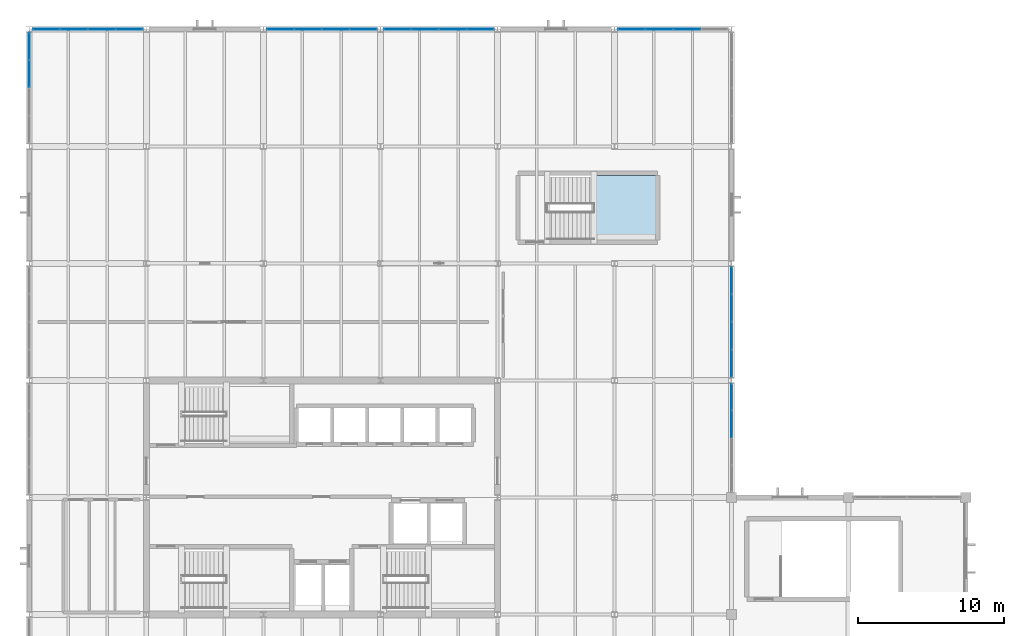
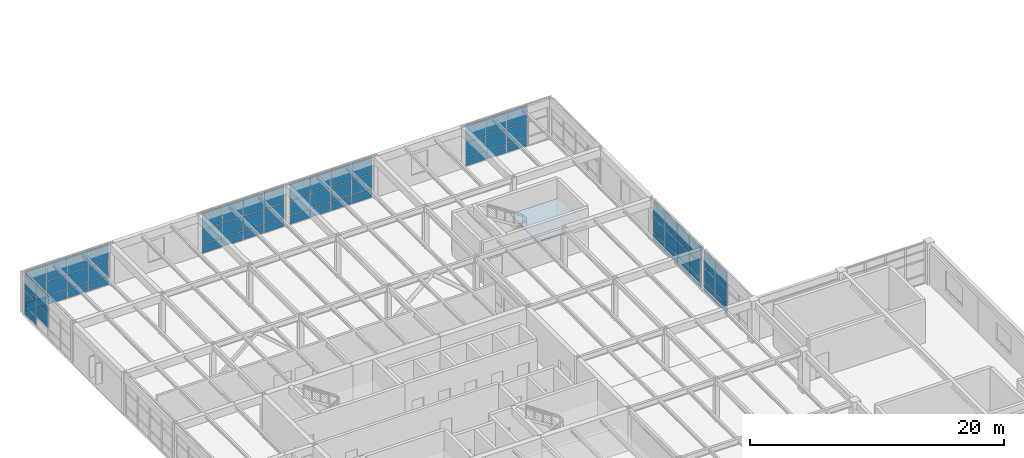
# One storey, part 31 of 48: 68 plates, 1 slab, 8 elements without a shape of their own.
"""IFC4 building model written with IfcOpenShell, lengths in metres."""

from ifc_helpers import new_model, si_unit, direction, frame, origin, origin_2d, place, context, subcontext, project, spatial, polyline, rectangle, outline, extrude, material, layer, layer_set, type_object, element, aggregate, save


model = new_model("IFC4")

# Units and contexts
model_context = context("Model", 3, precision=1e-05, world=origin(), true_north=direction((0.0, 1.0)))
body_context = subcontext(model_context, "Body", "Model", "MODEL_VIEW")
ifc_project = project(units=[si_unit("LENGTHUNIT", "METRE"), si_unit("AREAUNIT", "SQUARE_METRE"), si_unit("VOLUMEUNIT", "CUBIC_METRE"), si_unit("PLANEANGLEUNIT", "RADIAN"), si_unit("MASSUNIT", "GRAM", prefix="KILO")], contexts=[model_context])

# Site, building, storey
site_placement = place(None, origin())
site = spatial("IfcSite", under=ifc_project, at=site_placement, CompositionType="ELEMENT")
building_placement = place(site_placement, origin())
building = spatial("IfcBuilding", under=site, at=building_placement, Name="Varnela Railside Interchange", CompositionType="ELEMENT")
storey_placement = place(building_placement, frame((0.0, 0.0, 11.199951171875)))
storey = spatial("IfcBuildingStorey", under=building, at=storey_placement, Name="L02", CompositionType="ELEMENT", Elevation=11.199951171875)

# Curtain wall, plates
ifc_material_1 = material(Name="Aluminium 6063-T6", Category="aluminium")
ifc_layer_1 = layer(ifc_material_1, 0.035888671875)
ifc_layer_set_1 = layer_set([ifc_layer_1], Name="Aluminium 6063-T6")
curtain_wall_type = type_object("IfcCurtainWallType", Name="Operations Wing Facade Curtain Wall CW-03", PredefinedType="USERDEFINED", material=ifc_layer_set_1)
curtain_wall_1_placement = place(storey_placement, origin())
curtain_wall_1 = element("IfcCurtainWall", 1, at=curtain_wall_1_placement, inside=storey, type_object=curtain_wall_type, Name="Curtain Wall CW-03 (L02) (CW-061)", ObjectType="CURTAIN WALL", PredefinedType="USERDEFINED")
ifc_material_2 = material(Name="Glass laminated double", Category="glass")
ifc_layer_2 = layer(ifc_material_2, 0.0400390625)
ifc_layer_set_2 = layer_set([ifc_layer_2], Name="Glass laminated double")
plate_type = type_object("IfcPlateType", Name="Acoustic Laminated Vision GL-03", PredefinedType="CURTAIN_PANEL", material=ifc_layer_set_2)
plate_1_placement = place(storey_placement, frame((4.0, 90.953125, 0.93017578125), z_axis=(0.0, 0.0, 1.0), x_axis=(0.0, 1.0, 0.0)))
plate_1 = element("IfcPlate", 2, at=plate_1_placement, type_object=plate_type, Name="CW-03 panel 3.2", PredefinedType="CURTAIN_PANEL", context=body_context, shape_type="SweptSolid", body=[
    extrude(rectangle(XDim=1.84619140625, YDim=0.0400390625, at=origin_2d()), origin(), (0.0, 0.0, 1.0), 1.360107421875),
])
plate_2_placement = place(storey_placement, frame((4.0, 90.953125, 2.35009765625), z_axis=(0.0, 0.0, 1.0), x_axis=(0.0, 1.0, 0.0)))
plate_2 = element("IfcPlate", 3, at=plate_2_placement, type_object=plate_type, Name="CW-03 panel 3.3", PredefinedType="CURTAIN_PANEL", context=body_context, shape_type="SweptSolid", body=[
    extrude(rectangle(XDim=1.84619140625, YDim=0.0400390625, at=origin_2d()), origin(), (0.0, 0.0, 1.0), 1.590087890625),
])
plate_3_placement = place(storey_placement, frame((4.0, 92.844482421875, 0.06005859375), z_axis=(0.0, 0.0, 1.0), x_axis=(0.0, 1.0, 0.0)))
plate_3 = element("IfcPlate", 4, at=plate_3_placement, type_object=plate_type, Name="CW-03 panel 4.1", PredefinedType="CURTAIN_PANEL", context=body_context, shape_type="SweptSolid", body=[
    extrude(rectangle(XDim=1.816162109375, YDim=0.0400390625, at=origin_2d()), origin(), (0.0, 0.0, 1.0), 0.81005859375),
])
plate_4_placement = place(storey_placement, frame((4.0, 92.844482421875, 0.93017578125), z_axis=(0.0, 0.0, 1.0), x_axis=(0.0, 1.0, 0.0)))
plate_4 = element("IfcPlate", 5, at=plate_4_placement, type_object=plate_type, Name="CW-03 panel 4.2", PredefinedType="CURTAIN_PANEL", context=body_context, shape_type="SweptSolid", body=[
    extrude(rectangle(XDim=1.816162109375, YDim=0.0400390625, at=origin_2d()), origin(), (0.0, 0.0, 1.0), 1.360107421875),
])
plate_5_placement = place(storey_placement, frame((4.0, 92.844482421875, 2.35009765625), z_axis=(0.0, 0.0, 1.0), x_axis=(0.0, 1.0, 0.0)))
plate_5 = element("IfcPlate", 6, at=plate_5_placement, type_object=plate_type, Name="CW-03 panel 4.3", PredefinedType="CURTAIN_PANEL", context=body_context, shape_type="SweptSolid", body=[
    extrude(rectangle(XDim=1.816162109375, YDim=0.0400390625, at=origin_2d()), origin(), (0.0, 0.0, 1.0), 1.590087890625),
])
aggregate(curtain_wall_1, [plate_1, plate_2, plate_3, plate_4, plate_5])

curtain_wall_2_placement = place(storey_placement, origin())
curtain_wall_2 = element("IfcCurtainWall", 7, at=curtain_wall_2_placement, inside=storey, type_object=curtain_wall_type, Name="Curtain Wall CW-03 (L02) (CW-067)", ObjectType="CURTAIN WALL", PredefinedType="USERDEFINED")
plate_6_placement = place(storey_placement, frame((5.162841796875, 94.0, 0.06005859375), z_axis=(0.0, 0.0, 1.0), x_axis=(1.0, 0.0, 0.0)))
plate_6 = element("IfcPlate", 8, at=plate_6_placement, type_object=plate_type, Name="CW-03 panel 1.1", PredefinedType="CURTAIN_PANEL", context=body_context, shape_type="SweptSolid", body=[
    extrude(rectangle(XDim=1.8115234375, YDim=0.0400390625, at=origin_2d()), origin(), (0.0, 0.0, 1.0), 0.81005859375),
])
plate_7_placement = place(storey_placement, frame((5.162841796875, 94.0, 0.93017578125), z_axis=(0.0, 0.0, 1.0), x_axis=(1.0, 0.0, 0.0)))
plate_7 = element("IfcPlate", 9, at=plate_7_placement, type_object=plate_type, Name="CW-03 panel 1.2", PredefinedType="CURTAIN_PANEL", context=body_context, shape_type="SweptSolid", body=[
    extrude(rectangle(XDim=1.8115234375, YDim=0.0400390625, at=origin_2d()), origin(), (0.0, 0.0, 1.0), 1.360107421875),
])
plate_8_placement = place(storey_placement, frame((5.162841796875, 94.0, 2.35009765625), z_axis=(0.0, 0.0, 1.0), x_axis=(1.0, 0.0, 0.0)))
plate_8 = element("IfcPlate", 10, at=plate_8_placement, type_object=plate_type, Name="CW-03 panel 1.3", PredefinedType="CURTAIN_PANEL", context=body_context, shape_type="SweptSolid", body=[
    extrude(rectangle(XDim=1.8115234375, YDim=0.0400390625, at=origin_2d()), origin(), (0.0, 0.0, 1.0), 1.590087890625),
])
plate_9_placement = place(storey_placement, frame((7.04931640625, 94.0, 0.06005859375), z_axis=(0.0, 0.0, 1.0), x_axis=(1.0, 0.0, 0.0)))
plate_9 = element("IfcPlate", 11, at=plate_9_placement, type_object=plate_type, Name="CW-03 panel 2.1", PredefinedType="CURTAIN_PANEL", context=body_context, shape_type="SweptSolid", body=[
    extrude(rectangle(XDim=1.841552734375, YDim=0.0400390625, at=origin_2d()), origin(), (0.0, 0.0, 1.0), 0.81005859375),
])
plate_10_placement = place(storey_placement, frame((7.04931640625, 94.0, 0.93017578125), z_axis=(0.0, 0.0, 1.0), x_axis=(1.0, 0.0, 0.0)))
plate_10 = element("IfcPlate", 12, at=plate_10_placement, type_object=plate_type, Name="CW-03 panel 2.2", PredefinedType="CURTAIN_PANEL", context=body_context, shape_type="SweptSolid", body=[
    extrude(rectangle(XDim=1.841552734375, YDim=0.0400390625, at=origin_2d()), origin(), (0.0, 0.0, 1.0), 1.360107421875),
])
plate_11_placement = place(storey_placement, frame((7.04931640625, 94.0, 2.35009765625), z_axis=(0.0, 0.0, 1.0), x_axis=(1.0, 0.0, 0.0)))
plate_11 = element("IfcPlate", 13, at=plate_11_placement, type_object=plate_type, Name="CW-03 panel 2.3", PredefinedType="CURTAIN_PANEL", context=body_context, shape_type="SweptSolid", body=[
    extrude(rectangle(XDim=1.841552734375, YDim=0.0400390625, at=origin_2d()), origin(), (0.0, 0.0, 1.0), 1.590087890625),
])
plate_12_placement = place(storey_placement, frame((8.95068359375, 94.0, 0.06005859375), z_axis=(0.0, 0.0, 1.0), x_axis=(1.0, 0.0, 0.0)))
plate_12 = element("IfcPlate", 14, at=plate_12_placement, type_object=plate_type, Name="CW-03 panel 3.1", PredefinedType="CURTAIN_PANEL", context=body_context, shape_type="SweptSolid", body=[
    extrude(rectangle(XDim=1.841552734375, YDim=0.0400390625, at=origin_2d()), origin(), (0.0, 0.0, 1.0), 0.81005859375),
])
plate_13_placement = place(storey_placement, frame((8.95068359375, 94.0, 0.93017578125), z_axis=(0.0, 0.0, 1.0), x_axis=(1.0, 0.0, 0.0)))
plate_13 = element("IfcPlate", 15, at=plate_13_placement, type_object=plate_type, Name="CW-03 panel 3.2", PredefinedType="CURTAIN_PANEL", context=body_context, shape_type="SweptSolid", body=[
    extrude(rectangle(XDim=1.841552734375, YDim=0.0400390625, at=origin_2d()), origin(), (0.0, 0.0, 1.0), 1.360107421875),
])
plate_14_placement = place(storey_placement, frame((8.95068359375, 94.0, 2.35009765625), z_axis=(0.0, 0.0, 1.0), x_axis=(1.0, 0.0, 0.0)))
plate_14 = element("IfcPlate", 16, at=plate_14_placement, type_object=plate_type, Name="CW-03 panel 3.3", PredefinedType="CURTAIN_PANEL", context=body_context, shape_type="SweptSolid", body=[
    extrude(rectangle(XDim=1.841552734375, YDim=0.0400390625, at=origin_2d()), origin(), (0.0, 0.0, 1.0), 1.590087890625),
])
plate_15_placement = place(storey_placement, frame((10.837158203125, 94.0, 0.06005859375), z_axis=(0.0, 0.0, 1.0), x_axis=(1.0, 0.0, 0.0)))
plate_15 = element("IfcPlate", 17, at=plate_15_placement, type_object=plate_type, Name="CW-03 panel 4.1", PredefinedType="CURTAIN_PANEL", context=body_context, shape_type="SweptSolid", body=[
    extrude(rectangle(XDim=1.8115234375, YDim=0.0400390625, at=origin_2d()), origin(), (0.0, 0.0, 1.0), 0.81005859375),
])
plate_16_placement = place(storey_placement, frame((10.837158203125, 94.0, 0.93017578125), z_axis=(0.0, 0.0, 1.0), x_axis=(1.0, 0.0, 0.0)))
plate_16 = element("IfcPlate", 18, at=plate_16_placement, type_object=plate_type, Name="CW-03 panel 4.2", PredefinedType="CURTAIN_PANEL", context=body_context, shape_type="SweptSolid", body=[
    extrude(rectangle(XDim=1.8115234375, YDim=0.0400390625, at=origin_2d()), origin(), (0.0, 0.0, 1.0), 1.360107421875),
])
plate_17_placement = place(storey_placement, frame((10.837158203125, 94.0, 2.35009765625), z_axis=(0.0, 0.0, 1.0), x_axis=(1.0, 0.0, 0.0)))
plate_17 = element("IfcPlate", 19, at=plate_17_placement, type_object=plate_type, Name="CW-03 panel 4.3", PredefinedType="CURTAIN_PANEL", context=body_context, shape_type="SweptSolid", body=[
    extrude(rectangle(XDim=1.8115234375, YDim=0.0400390625, at=origin_2d()), origin(), (0.0, 0.0, 1.0), 1.590087890625),
])
aggregate(curtain_wall_2, [plate_6, plate_7, plate_8, plate_9, plate_10, plate_11, plate_12, plate_13, plate_14, plate_15, plate_16, plate_17])

curtain_wall_3_placement = place(storey_placement, origin())
curtain_wall_3 = element("IfcCurtainWall", 20, at=curtain_wall_3_placement, inside=storey, type_object=curtain_wall_type, Name="Curtain Wall CW-03 (L02) (CW-074)", ObjectType="CURTAIN WALL", PredefinedType="USERDEFINED")
plate_18_placement = place(storey_placement, frame((21.162841796875, 94.0, 0.06005859375), z_axis=(0.0, 0.0, 1.0), x_axis=(1.0, 0.0, 0.0)))
plate_18 = element("IfcPlate", 21, at=plate_18_placement, type_object=plate_type, Name="CW-03 panel 1.1", PredefinedType="CURTAIN_PANEL", context=body_context, shape_type="SweptSolid", body=[
    extrude(rectangle(XDim=1.8115234375, YDim=0.0400390625, at=origin_2d()), origin(), (0.0, 0.0, 1.0), 0.81005859375),
])
plate_19_placement = place(storey_placement, frame((21.162841796875, 94.0, 0.93017578125), z_axis=(0.0, 0.0, 1.0), x_axis=(1.0, 0.0, 0.0)))
plate_19 = element("IfcPlate", 22, at=plate_19_placement, type_object=plate_type, Name="CW-03 panel 1.2", PredefinedType="CURTAIN_PANEL", context=body_context, shape_type="SweptSolid", body=[
    extrude(rectangle(XDim=1.8115234375, YDim=0.0400390625, at=origin_2d()), origin(), (0.0, 0.0, 1.0), 1.360107421875),
])
plate_20_placement = place(storey_placement, frame((21.162841796875, 94.0, 2.35009765625), z_axis=(0.0, 0.0, 1.0), x_axis=(1.0, 0.0, 0.0)))
plate_20 = element("IfcPlate", 23, at=plate_20_placement, type_object=plate_type, Name="CW-03 panel 1.3", PredefinedType="CURTAIN_PANEL", context=body_context, shape_type="SweptSolid", body=[
    extrude(rectangle(XDim=1.8115234375, YDim=0.0400390625, at=origin_2d()), origin(), (0.0, 0.0, 1.0), 1.590087890625),
])
plate_21_placement = place(storey_placement, frame((23.04931640625, 94.0, 0.06005859375), z_axis=(0.0, 0.0, 1.0), x_axis=(1.0, 0.0, 0.0)))
plate_21 = element("IfcPlate", 24, at=plate_21_placement, type_object=plate_type, Name="CW-03 panel 2.1", PredefinedType="CURTAIN_PANEL", context=body_context, shape_type="SweptSolid", body=[
    extrude(rectangle(XDim=1.841552734375, YDim=0.0400390625, at=origin_2d()), origin(), (0.0, 0.0, 1.0), 0.81005859375),
])
plate_22_placement = place(storey_placement, frame((23.04931640625, 94.0, 0.93017578125), z_axis=(0.0, 0.0, 1.0), x_axis=(1.0, 0.0, 0.0)))
plate_22 = element("IfcPlate", 25, at=plate_22_placement, type_object=plate_type, Name="CW-03 panel 2.2", PredefinedType="CURTAIN_PANEL", context=body_context, shape_type="SweptSolid", body=[
    extrude(rectangle(XDim=1.841552734375, YDim=0.0400390625, at=origin_2d()), origin(), (0.0, 0.0, 1.0), 1.360107421875),
])
plate_23_placement = place(storey_placement, frame((23.04931640625, 94.0, 2.35009765625), z_axis=(0.0, 0.0, 1.0), x_axis=(1.0, 0.0, 0.0)))
plate_23 = element("IfcPlate", 26, at=plate_23_placement, type_object=plate_type, Name="CW-03 panel 2.3", PredefinedType="CURTAIN_PANEL", context=body_context, shape_type="SweptSolid", body=[
    extrude(rectangle(XDim=1.841552734375, YDim=0.0400390625, at=origin_2d()), origin(), (0.0, 0.0, 1.0), 1.590087890625),
])
plate_24_placement = place(storey_placement, frame((24.95068359375, 94.0, 0.06005859375), z_axis=(0.0, 0.0, 1.0), x_axis=(1.0, 0.0, 0.0)))
plate_24 = element("IfcPlate", 27, at=plate_24_placement, type_object=plate_type, Name="CW-03 panel 3.1", PredefinedType="CURTAIN_PANEL", context=body_context, shape_type="SweptSolid", body=[
    extrude(rectangle(XDim=1.841552734375, YDim=0.0400390625, at=origin_2d()), origin(), (0.0, 0.0, 1.0), 0.81005859375),
])
plate_25_placement = place(storey_placement, frame((24.95068359375, 94.0, 0.93017578125), z_axis=(0.0, 0.0, 1.0), x_axis=(1.0, 0.0, 0.0)))
plate_25 = element("IfcPlate", 28, at=plate_25_placement, type_object=plate_type, Name="CW-03 panel 3.2", PredefinedType="CURTAIN_PANEL", context=body_context, shape_type="SweptSolid", body=[
    extrude(rectangle(XDim=1.841552734375, YDim=0.0400390625, at=origin_2d()), origin(), (0.0, 0.0, 1.0), 1.360107421875),
])
plate_26_placement = place(storey_placement, frame((24.95068359375, 94.0, 2.35009765625), z_axis=(0.0, 0.0, 1.0), x_axis=(1.0, 0.0, 0.0)))
plate_26 = element("IfcPlate", 29, at=plate_26_placement, type_object=plate_type, Name="CW-03 panel 3.3", PredefinedType="CURTAIN_PANEL", context=body_context, shape_type="SweptSolid", body=[
    extrude(rectangle(XDim=1.841552734375, YDim=0.0400390625, at=origin_2d()), origin(), (0.0, 0.0, 1.0), 1.590087890625),
])
plate_27_placement = place(storey_placement, frame((26.837158203125, 94.0, 0.06005859375), z_axis=(0.0, 0.0, 1.0), x_axis=(1.0, 0.0, 0.0)))
plate_27 = element("IfcPlate", 30, at=plate_27_placement, type_object=plate_type, Name="CW-03 panel 4.1", PredefinedType="CURTAIN_PANEL", context=body_context, shape_type="SweptSolid", body=[
    extrude(rectangle(XDim=1.8115234375, YDim=0.0400390625, at=origin_2d()), origin(), (0.0, 0.0, 1.0), 0.81005859375),
])
plate_28_placement = place(storey_placement, frame((26.837158203125, 94.0, 0.93017578125), z_axis=(0.0, 0.0, 1.0), x_axis=(1.0, 0.0, 0.0)))
plate_28 = element("IfcPlate", 31, at=plate_28_placement, type_object=plate_type, Name="CW-03 panel 4.2", PredefinedType="CURTAIN_PANEL", context=body_context, shape_type="SweptSolid", body=[
    extrude(rectangle(XDim=1.8115234375, YDim=0.0400390625, at=origin_2d()), origin(), (0.0, 0.0, 1.0), 1.360107421875),
])
plate_29_placement = place(storey_placement, frame((26.837158203125, 94.0, 2.35009765625), z_axis=(0.0, 0.0, 1.0), x_axis=(1.0, 0.0, 0.0)))
plate_29 = element("IfcPlate", 32, at=plate_29_placement, type_object=plate_type, Name="CW-03 panel 4.3", PredefinedType="CURTAIN_PANEL", context=body_context, shape_type="SweptSolid", body=[
    extrude(rectangle(XDim=1.8115234375, YDim=0.0400390625, at=origin_2d()), origin(), (0.0, 0.0, 1.0), 1.590087890625),
])
aggregate(curtain_wall_3, [plate_18, plate_19, plate_20, plate_21, plate_22, plate_23, plate_24, plate_25, plate_26, plate_27, plate_28, plate_29])

curtain_wall_4_placement = place(storey_placement, origin())
curtain_wall_4 = element("IfcCurtainWall", 33, at=curtain_wall_4_placement, inside=storey, type_object=curtain_wall_type, Name="Curtain Wall CW-03 (L02) (CW-075)", ObjectType="CURTAIN WALL", PredefinedType="USERDEFINED")
plate_30_placement = place(storey_placement, frame((29.162841796875, 94.0, 0.06005859375), z_axis=(0.0, 0.0, 1.0), x_axis=(1.0, 0.0, 0.0)))
plate_30 = element("IfcPlate", 34, at=plate_30_placement, type_object=plate_type, Name="CW-03 panel 1.1", PredefinedType="CURTAIN_PANEL", context=body_context, shape_type="SweptSolid", body=[
    extrude(rectangle(XDim=1.8115234375, YDim=0.0400390625, at=origin_2d()), origin(), (0.0, 0.0, 1.0), 0.81005859375),
])
plate_31_placement = place(storey_placement, frame((29.162841796875, 94.0, 0.93017578125), z_axis=(0.0, 0.0, 1.0), x_axis=(1.0, 0.0, 0.0)))
plate_31 = element("IfcPlate", 35, at=plate_31_placement, type_object=plate_type, Name="CW-03 panel 1.2", PredefinedType="CURTAIN_PANEL", context=body_context, shape_type="SweptSolid", body=[
    extrude(rectangle(XDim=1.8115234375, YDim=0.0400390625, at=origin_2d()), origin(), (0.0, 0.0, 1.0), 1.360107421875),
])
plate_32_placement = place(storey_placement, frame((29.162841796875, 94.0, 2.35009765625), z_axis=(0.0, 0.0, 1.0), x_axis=(1.0, 0.0, 0.0)))
plate_32 = element("IfcPlate", 36, at=plate_32_placement, type_object=plate_type, Name="CW-03 panel 1.3", PredefinedType="CURTAIN_PANEL", context=body_context, shape_type="SweptSolid", body=[
    extrude(rectangle(XDim=1.8115234375, YDim=0.0400390625, at=origin_2d()), origin(), (0.0, 0.0, 1.0), 1.590087890625),
])
plate_33_placement = place(storey_placement, frame((31.04931640625, 94.0, 0.06005859375), z_axis=(0.0, 0.0, 1.0), x_axis=(1.0, 0.0, 0.0)))
plate_33 = element("IfcPlate", 37, at=plate_33_placement, type_object=plate_type, Name="CW-03 panel 2.1", PredefinedType="CURTAIN_PANEL", context=body_context, shape_type="SweptSolid", body=[
    extrude(rectangle(XDim=1.841552734375, YDim=0.0400390625, at=origin_2d()), origin(), (0.0, 0.0, 1.0), 0.81005859375),
])
plate_34_placement = place(storey_placement, frame((31.04931640625, 94.0, 0.93017578125), z_axis=(0.0, 0.0, 1.0), x_axis=(1.0, 0.0, 0.0)))
plate_34 = element("IfcPlate", 38, at=plate_34_placement, type_object=plate_type, Name="CW-03 panel 2.2", PredefinedType="CURTAIN_PANEL", context=body_context, shape_type="SweptSolid", body=[
    extrude(rectangle(XDim=1.841552734375, YDim=0.0400390625, at=origin_2d()), origin(), (0.0, 0.0, 1.0), 1.360107421875),
])
plate_35_placement = place(storey_placement, frame((31.04931640625, 94.0, 2.35009765625), z_axis=(0.0, 0.0, 1.0), x_axis=(1.0, 0.0, 0.0)))
plate_35 = element("IfcPlate", 39, at=plate_35_placement, type_object=plate_type, Name="CW-03 panel 2.3", PredefinedType="CURTAIN_PANEL", context=body_context, shape_type="SweptSolid", body=[
    extrude(rectangle(XDim=1.841552734375, YDim=0.0400390625, at=origin_2d()), origin(), (0.0, 0.0, 1.0), 1.590087890625),
])
plate_36_placement = place(storey_placement, frame((32.95068359375, 94.0, 0.06005859375), z_axis=(0.0, 0.0, 1.0), x_axis=(1.0, 0.0, 0.0)))
plate_36 = element("IfcPlate", 40, at=plate_36_placement, type_object=plate_type, Name="CW-03 panel 3.1", PredefinedType="CURTAIN_PANEL", context=body_context, shape_type="SweptSolid", body=[
    extrude(rectangle(XDim=1.841552734375, YDim=0.0400390625, at=origin_2d()), origin(), (0.0, 0.0, 1.0), 0.81005859375),
])
plate_37_placement = place(storey_placement, frame((32.95068359375, 94.0, 0.93017578125), z_axis=(0.0, 0.0, 1.0), x_axis=(1.0, 0.0, 0.0)))
plate_37 = element("IfcPlate", 41, at=plate_37_placement, type_object=plate_type, Name="CW-03 panel 3.2", PredefinedType="CURTAIN_PANEL", context=body_context, shape_type="SweptSolid", body=[
    extrude(rectangle(XDim=1.841552734375, YDim=0.0400390625, at=origin_2d()), origin(), (0.0, 0.0, 1.0), 1.360107421875),
])
plate_38_placement = place(storey_placement, frame((32.95068359375, 94.0, 2.35009765625), z_axis=(0.0, 0.0, 1.0), x_axis=(1.0, 0.0, 0.0)))
plate_38 = element("IfcPlate", 42, at=plate_38_placement, type_object=plate_type, Name="CW-03 panel 3.3", PredefinedType="CURTAIN_PANEL", context=body_context, shape_type="SweptSolid", body=[
    extrude(rectangle(XDim=1.841552734375, YDim=0.0400390625, at=origin_2d()), origin(), (0.0, 0.0, 1.0), 1.590087890625),
])
plate_39_placement = place(storey_placement, frame((34.837158203125, 94.0, 0.06005859375), z_axis=(0.0, 0.0, 1.0), x_axis=(1.0, 0.0, 0.0)))
plate_39 = element("IfcPlate", 43, at=plate_39_placement, type_object=plate_type, Name="CW-03 panel 4.1", PredefinedType="CURTAIN_PANEL", context=body_context, shape_type="SweptSolid", body=[
    extrude(rectangle(XDim=1.8115234375, YDim=0.0400390625, at=origin_2d()), origin(), (0.0, 0.0, 1.0), 0.81005859375),
])
plate_40_placement = place(storey_placement, frame((34.837158203125, 94.0, 0.93017578125), z_axis=(0.0, 0.0, 1.0), x_axis=(1.0, 0.0, 0.0)))
plate_40 = element("IfcPlate", 44, at=plate_40_placement, type_object=plate_type, Name="CW-03 panel 4.2", PredefinedType="CURTAIN_PANEL", context=body_context, shape_type="SweptSolid", body=[
    extrude(rectangle(XDim=1.8115234375, YDim=0.0400390625, at=origin_2d()), origin(), (0.0, 0.0, 1.0), 1.360107421875),
])
plate_41_placement = place(storey_placement, frame((34.837158203125, 94.0, 2.35009765625), z_axis=(0.0, 0.0, 1.0), x_axis=(1.0, 0.0, 0.0)))
plate_41 = element("IfcPlate", 45, at=plate_41_placement, type_object=plate_type, Name="CW-03 panel 4.3", PredefinedType="CURTAIN_PANEL", context=body_context, shape_type="SweptSolid", body=[
    extrude(rectangle(XDim=1.8115234375, YDim=0.0400390625, at=origin_2d()), origin(), (0.0, 0.0, 1.0), 1.590087890625),
])
aggregate(curtain_wall_4, [plate_30, plate_31, plate_32, plate_33, plate_34, plate_35, plate_36, plate_37, plate_38, plate_39, plate_40, plate_41])

curtain_wall_5_placement = place(storey_placement, origin())
curtain_wall_5 = element("IfcCurtainWall", 46, at=curtain_wall_5_placement, inside=storey, type_object=curtain_wall_type, Name="Curtain Wall CW-03 (L02) (CW-048)", ObjectType="CURTAIN WALL", PredefinedType="USERDEFINED")
plate_42_placement = place(storey_placement, frame((45.162841796875, 94.0, 0.06005859375), z_axis=(0.0, 0.0, 1.0), x_axis=(1.0, 0.0, 0.0)))
plate_42 = element("IfcPlate", 47, at=plate_42_placement, type_object=plate_type, Name="CW-03 panel 1.1", PredefinedType="CURTAIN_PANEL", context=body_context, shape_type="SweptSolid", body=[
    extrude(rectangle(XDim=1.8115234375, YDim=0.0400390625, at=origin_2d()), origin(), (0.0, 0.0, 1.0), 0.81005859375),
])
plate_43_placement = place(storey_placement, frame((45.162841796875, 94.0, 0.93017578125), z_axis=(0.0, 0.0, 1.0), x_axis=(1.0, 0.0, 0.0)))
plate_43 = element("IfcPlate", 48, at=plate_43_placement, type_object=plate_type, Name="CW-03 panel 1.2", PredefinedType="CURTAIN_PANEL", context=body_context, shape_type="SweptSolid", body=[
    extrude(rectangle(XDim=1.8115234375, YDim=0.0400390625, at=origin_2d()), origin(), (0.0, 0.0, 1.0), 1.360107421875),
])
plate_44_placement = place(storey_placement, frame((45.162841796875, 94.0, 2.35009765625), z_axis=(0.0, 0.0, 1.0), x_axis=(1.0, 0.0, 0.0)))
plate_44 = element("IfcPlate", 49, at=plate_44_placement, type_object=plate_type, Name="CW-03 panel 1.3", PredefinedType="CURTAIN_PANEL", context=body_context, shape_type="SweptSolid", body=[
    extrude(rectangle(XDim=1.8115234375, YDim=0.0400390625, at=origin_2d()), origin(), (0.0, 0.0, 1.0), 1.590087890625),
])
plate_45_placement = place(storey_placement, frame((47.04931640625, 94.0, 0.06005859375), z_axis=(0.0, 0.0, 1.0), x_axis=(1.0, 0.0, 0.0)))
plate_45 = element("IfcPlate", 50, at=plate_45_placement, type_object=plate_type, Name="CW-03 panel 2.1", PredefinedType="CURTAIN_PANEL", context=body_context, shape_type="SweptSolid", body=[
    extrude(rectangle(XDim=1.841552734375, YDim=0.0400390625, at=origin_2d()), origin(), (0.0, 0.0, 1.0), 0.81005859375),
])
plate_46_placement = place(storey_placement, frame((47.04931640625, 94.0, 0.93017578125), z_axis=(0.0, 0.0, 1.0), x_axis=(1.0, 0.0, 0.0)))
plate_46 = element("IfcPlate", 51, at=plate_46_placement, type_object=plate_type, Name="CW-03 panel 2.2", PredefinedType="CURTAIN_PANEL", context=body_context, shape_type="SweptSolid", body=[
    extrude(rectangle(XDim=1.841552734375, YDim=0.0400390625, at=origin_2d()), origin(), (0.0, 0.0, 1.0), 1.360107421875),
])
plate_47_placement = place(storey_placement, frame((47.04931640625, 94.0, 2.35009765625), z_axis=(0.0, 0.0, 1.0), x_axis=(1.0, 0.0, 0.0)))
plate_47 = element("IfcPlate", 52, at=plate_47_placement, type_object=plate_type, Name="CW-03 panel 2.3", PredefinedType="CURTAIN_PANEL", context=body_context, shape_type="SweptSolid", body=[
    extrude(rectangle(XDim=1.841552734375, YDim=0.0400390625, at=origin_2d()), origin(), (0.0, 0.0, 1.0), 1.590087890625),
])
plate_48_placement = place(storey_placement, frame((48.95068359375, 94.0, 0.06005859375), z_axis=(0.0, 0.0, 1.0), x_axis=(1.0, 0.0, 0.0)))
plate_48 = element("IfcPlate", 53, at=plate_48_placement, type_object=plate_type, Name="CW-03 panel 3.1", PredefinedType="CURTAIN_PANEL", context=body_context, shape_type="SweptSolid", body=[
    extrude(rectangle(XDim=1.841552734375, YDim=0.0400390625, at=origin_2d()), origin(), (0.0, 0.0, 1.0), 0.81005859375),
])
plate_49_placement = place(storey_placement, frame((48.95068359375, 94.0, 0.93017578125), z_axis=(0.0, 0.0, 1.0), x_axis=(1.0, 0.0, 0.0)))
plate_49 = element("IfcPlate", 54, at=plate_49_placement, type_object=plate_type, Name="CW-03 panel 3.2", PredefinedType="CURTAIN_PANEL", context=body_context, shape_type="SweptSolid", body=[
    extrude(rectangle(XDim=1.841552734375, YDim=0.0400390625, at=origin_2d()), origin(), (0.0, 0.0, 1.0), 1.360107421875),
])
plate_50_placement = place(storey_placement, frame((48.95068359375, 94.0, 2.35009765625), z_axis=(0.0, 0.0, 1.0), x_axis=(1.0, 0.0, 0.0)))
plate_50 = element("IfcPlate", 55, at=plate_50_placement, type_object=plate_type, Name="CW-03 panel 3.3", PredefinedType="CURTAIN_PANEL", context=body_context, shape_type="SweptSolid", body=[
    extrude(rectangle(XDim=1.841552734375, YDim=0.0400390625, at=origin_2d()), origin(), (0.0, 0.0, 1.0), 1.590087890625),
])
aggregate(curtain_wall_5, [plate_42, plate_43, plate_44, plate_45, plate_46, plate_47, plate_48, plate_49, plate_50])

curtain_wall_6_placement = place(storey_placement, origin())
curtain_wall_6 = element("IfcCurtainWall", 56, at=curtain_wall_6_placement, inside=storey, type_object=curtain_wall_type, Name="Curtain Wall CW-03 (L02) (CW-050)", ObjectType="CURTAIN WALL", PredefinedType="USERDEFINED")
plate_51_placement = place(storey_placement, frame((52.0, 76.844482421875, 0.06005859375), z_axis=(0.0, 0.0, 1.0), x_axis=(0.0, -1.0, 0.0)))
plate_51 = element("IfcPlate", 57, at=plate_51_placement, type_object=plate_type, Name="CW-03 panel 1.1", PredefinedType="CURTAIN_PANEL", context=body_context, shape_type="SweptSolid", body=[
    extrude(rectangle(XDim=1.816162109375, YDim=0.0400390625, at=origin_2d()), origin(), (0.0, 0.0, 1.0), 0.81005859375),
])
plate_52_placement = place(storey_placement, frame((52.0, 76.844482421875, 0.93017578125), z_axis=(0.0, 0.0, 1.0), x_axis=(0.0, -1.0, 0.0)))
plate_52 = element("IfcPlate", 58, at=plate_52_placement, type_object=plate_type, Name="CW-03 panel 1.2", PredefinedType="CURTAIN_PANEL", context=body_context, shape_type="SweptSolid", body=[
    extrude(rectangle(XDim=1.816162109375, YDim=0.0400390625, at=origin_2d()), origin(), (0.0, 0.0, 1.0), 1.360107421875),
])
plate_53_placement = place(storey_placement, frame((52.0, 76.844482421875, 2.35009765625), z_axis=(0.0, 0.0, 1.0), x_axis=(0.0, -1.0, 0.0)))
plate_53 = element("IfcPlate", 59, at=plate_53_placement, type_object=plate_type, Name="CW-03 panel 1.3", PredefinedType="CURTAIN_PANEL", context=body_context, shape_type="SweptSolid", body=[
    extrude(rectangle(XDim=1.816162109375, YDim=0.0400390625, at=origin_2d()), origin(), (0.0, 0.0, 1.0), 1.590087890625),
])
plate_54_placement = place(storey_placement, frame((52.0, 74.953125, 0.06005859375), z_axis=(0.0, 0.0, 1.0), x_axis=(0.0, -1.0, 0.0)))
plate_54 = element("IfcPlate", 60, at=plate_54_placement, type_object=plate_type, Name="CW-03 panel 2.1", PredefinedType="CURTAIN_PANEL", context=body_context, shape_type="SweptSolid", body=[
    extrude(rectangle(XDim=1.84619140625, YDim=0.0400390625, at=origin_2d()), origin(), (0.0, 0.0, 1.0), 0.81005859375),
])
plate_55_placement = place(storey_placement, frame((52.0, 74.953125, 0.93017578125), z_axis=(0.0, 0.0, 1.0), x_axis=(0.0, -1.0, 0.0)))
plate_55 = element("IfcPlate", 61, at=plate_55_placement, type_object=plate_type, Name="CW-03 panel 2.2", PredefinedType="CURTAIN_PANEL", context=body_context, shape_type="SweptSolid", body=[
    extrude(rectangle(XDim=1.84619140625, YDim=0.0400390625, at=origin_2d()), origin(), (0.0, 0.0, 1.0), 1.360107421875),
])
plate_56_placement = place(storey_placement, frame((52.0, 74.953125, 2.35009765625), z_axis=(0.0, 0.0, 1.0), x_axis=(0.0, -1.0, 0.0)))
plate_56 = element("IfcPlate", 62, at=plate_56_placement, type_object=plate_type, Name="CW-03 panel 2.3", PredefinedType="CURTAIN_PANEL", context=body_context, shape_type="SweptSolid", body=[
    extrude(rectangle(XDim=1.84619140625, YDim=0.0400390625, at=origin_2d()), origin(), (0.0, 0.0, 1.0), 1.590087890625),
])
plate_57_placement = place(storey_placement, frame((52.0, 73.046875, 0.06005859375), z_axis=(0.0, 0.0, 1.0), x_axis=(0.0, -1.0, 0.0)))
plate_57 = element("IfcPlate", 63, at=plate_57_placement, type_object=plate_type, Name="CW-03 panel 3.1", PredefinedType="CURTAIN_PANEL", context=body_context, shape_type="SweptSolid", body=[
    extrude(rectangle(XDim=1.84619140625, YDim=0.0400390625, at=origin_2d()), origin(), (0.0, 0.0, 1.0), 0.81005859375),
])
plate_58_placement = place(storey_placement, frame((52.0, 73.046875, 0.93017578125), z_axis=(0.0, 0.0, 1.0), x_axis=(0.0, -1.0, 0.0)))
plate_58 = element("IfcPlate", 64, at=plate_58_placement, type_object=plate_type, Name="CW-03 panel 3.2", PredefinedType="CURTAIN_PANEL", context=body_context, shape_type="SweptSolid", body=[
    extrude(rectangle(XDim=1.84619140625, YDim=0.0400390625, at=origin_2d()), origin(), (0.0, 0.0, 1.0), 1.360107421875),
])
plate_59_placement = place(storey_placement, frame((52.0, 73.046875, 2.35009765625), z_axis=(0.0, 0.0, 1.0), x_axis=(0.0, -1.0, 0.0)))
plate_59 = element("IfcPlate", 65, at=plate_59_placement, type_object=plate_type, Name="CW-03 panel 3.3", PredefinedType="CURTAIN_PANEL", context=body_context, shape_type="SweptSolid", body=[
    extrude(rectangle(XDim=1.84619140625, YDim=0.0400390625, at=origin_2d()), origin(), (0.0, 0.0, 1.0), 1.590087890625),
])
plate_60_placement = place(storey_placement, frame((52.0, 71.155517578125, 0.06005859375), z_axis=(0.0, 0.0, 1.0), x_axis=(0.0, -1.0, 0.0)))
plate_60 = element("IfcPlate", 66, at=plate_60_placement, type_object=plate_type, Name="CW-03 panel 4.1", PredefinedType="CURTAIN_PANEL", context=body_context, shape_type="SweptSolid", body=[
    extrude(rectangle(XDim=1.816162109375, YDim=0.0400390625, at=origin_2d()), origin(), (0.0, 0.0, 1.0), 0.81005859375),
])
plate_61_placement = place(storey_placement, frame((52.0, 71.155517578125, 0.93017578125), z_axis=(0.0, 0.0, 1.0), x_axis=(0.0, -1.0, 0.0)))
plate_61 = element("IfcPlate", 67, at=plate_61_placement, type_object=plate_type, Name="CW-03 panel 4.2", PredefinedType="CURTAIN_PANEL", context=body_context, shape_type="SweptSolid", body=[
    extrude(rectangle(XDim=1.816162109375, YDim=0.0400390625, at=origin_2d()), origin(), (0.0, 0.0, 1.0), 1.360107421875),
])
plate_62_placement = place(storey_placement, frame((52.0, 71.155517578125, 2.35009765625), z_axis=(0.0, 0.0, 1.0), x_axis=(0.0, -1.0, 0.0)))
plate_62 = element("IfcPlate", 68, at=plate_62_placement, type_object=plate_type, Name="CW-03 panel 4.3", PredefinedType="CURTAIN_PANEL", context=body_context, shape_type="SweptSolid", body=[
    extrude(rectangle(XDim=1.816162109375, YDim=0.0400390625, at=origin_2d()), origin(), (0.0, 0.0, 1.0), 1.590087890625),
])
aggregate(curtain_wall_6, [plate_51, plate_52, plate_53, plate_54, plate_55, plate_56, plate_57, plate_58, plate_59, plate_60, plate_61, plate_62])

curtain_wall_7_placement = place(storey_placement, origin())
curtain_wall_7 = element("IfcCurtainWall", 69, at=curtain_wall_7_placement, inside=storey, type_object=curtain_wall_type, Name="Curtain Wall CW-03 (L02) (CW-051)", ObjectType="CURTAIN WALL", PredefinedType="USERDEFINED")
plate_63_placement = place(storey_placement, frame((52.0, 68.86474609375, 0.06005859375), z_axis=(0.0, 0.0, 1.0), x_axis=(0.0, -1.0, 0.0)))
plate_63 = element("IfcPlate", 70, at=plate_63_placement, type_object=plate_type, Name="CW-03 panel 1.1", PredefinedType="CURTAIN_PANEL", context=body_context, shape_type="SweptSolid", body=[
    extrude(rectangle(XDim=1.775634765625, YDim=0.0400390625, at=origin_2d()), origin(), (0.0, 0.0, 1.0), 0.81005859375),
])
plate_64_placement = place(storey_placement, frame((52.0, 68.86474609375, 0.93017578125), z_axis=(0.0, 0.0, 1.0), x_axis=(0.0, -1.0, 0.0)))
plate_64 = element("IfcPlate", 71, at=plate_64_placement, type_object=plate_type, Name="CW-03 panel 1.2", PredefinedType="CURTAIN_PANEL", context=body_context, shape_type="SweptSolid", body=[
    extrude(rectangle(XDim=1.775634765625, YDim=0.0400390625, at=origin_2d()), origin(), (0.0, 0.0, 1.0), 1.360107421875),
])
plate_65_placement = place(storey_placement, frame((52.0, 68.86474609375, 2.35009765625), z_axis=(0.0, 0.0, 1.0), x_axis=(0.0, -1.0, 0.0)))
plate_65 = element("IfcPlate", 72, at=plate_65_placement, type_object=plate_type, Name="CW-03 panel 1.3", PredefinedType="CURTAIN_PANEL", context=body_context, shape_type="SweptSolid", body=[
    extrude(rectangle(XDim=1.775634765625, YDim=0.0400390625, at=origin_2d()), origin(), (0.0, 0.0, 1.0), 1.590087890625),
])
plate_66_placement = place(storey_placement, frame((52.0, 67.01416015625, 0.06005859375), z_axis=(0.0, 0.0, 1.0), x_axis=(0.0, -1.0, 0.0)))
plate_66 = element("IfcPlate", 73, at=plate_66_placement, type_object=plate_type, Name="CW-03 panel 2.1", PredefinedType="CURTAIN_PANEL", context=body_context, shape_type="SweptSolid", body=[
    extrude(rectangle(XDim=1.8056640625, YDim=0.0400390625, at=origin_2d()), origin(), (0.0, 0.0, 1.0), 0.81005859375),
])
plate_67_placement = place(storey_placement, frame((52.0, 67.01416015625, 0.93017578125), z_axis=(0.0, 0.0, 1.0), x_axis=(0.0, -1.0, 0.0)))
plate_67 = element("IfcPlate", 74, at=plate_67_placement, type_object=plate_type, Name="CW-03 panel 2.2", PredefinedType="CURTAIN_PANEL", context=body_context, shape_type="SweptSolid", body=[
    extrude(rectangle(XDim=1.8056640625, YDim=0.0400390625, at=origin_2d()), origin(), (0.0, 0.0, 1.0), 1.360107421875),
])
plate_68_placement = place(storey_placement, frame((52.0, 67.01416015625, 2.35009765625), z_axis=(0.0, 0.0, 1.0), x_axis=(0.0, -1.0, 0.0)))
plate_68 = element("IfcPlate", 75, at=plate_68_placement, type_object=plate_type, Name="CW-03 panel 2.3", PredefinedType="CURTAIN_PANEL", context=body_context, shape_type="SweptSolid", body=[
    extrude(rectangle(XDim=1.8056640625, YDim=0.0400390625, at=origin_2d()), origin(), (0.0, 0.0, 1.0), 1.590087890625),
])
aggregate(curtain_wall_7, [plate_63, plate_64, plate_65, plate_66, plate_67, plate_68])

# Stair, slab
ifc_material_3 = material(Name="Concrete C40", Category="concrete")
stair_type = type_object("IfcStairType", Name="Study Pavilion Stair ST-180", PredefinedType="TWO_STRAIGHT_RUN_STAIR", material=ifc_material_3)
stair_placement = place(storey_placement, origin())
stair = element("IfcStair", 76, at=stair_placement, inside=storey, type_object=stair_type, Name="Stair ST-W1 (L02) (SF-172)", PredefinedType="TWO_STRAIGHT_RUN_STAIR")
ifc_layer_3 = layer(ifc_material_3, 0.159912109375)
ifc_layer_set_3 = layer_set([ifc_layer_3], Name="Concrete C40")
slab_type = type_object("IfcSlabType", Name="Stair Half-Landing Slab SL-LD", PredefinedType="LANDING", material=ifc_layer_set_3)
slab_placement = place(storey_placement, frame((0.0, 0.0, 1.93994140625)))
slab = element("IfcSlab", 77, at=slab_placement, type_object=slab_type, Name="ST-W1 landing 1 (SL-0153)", PredefinedType="LANDING", context=body_context, shape_type="SweptSolid", body=[
    extrude(outline(polyline([(42.56005859375, 79.60009765625), (47.06005859375, 79.60009765625), (47.06005859375, 84.0), (42.56005859375, 84.0), (42.56005859375, 79.60009765625)])), origin(), (0.0, 0.0, 1.0), 0.16015625),
])
aggregate(stair, [slab])

save(model, "model.ifc")
